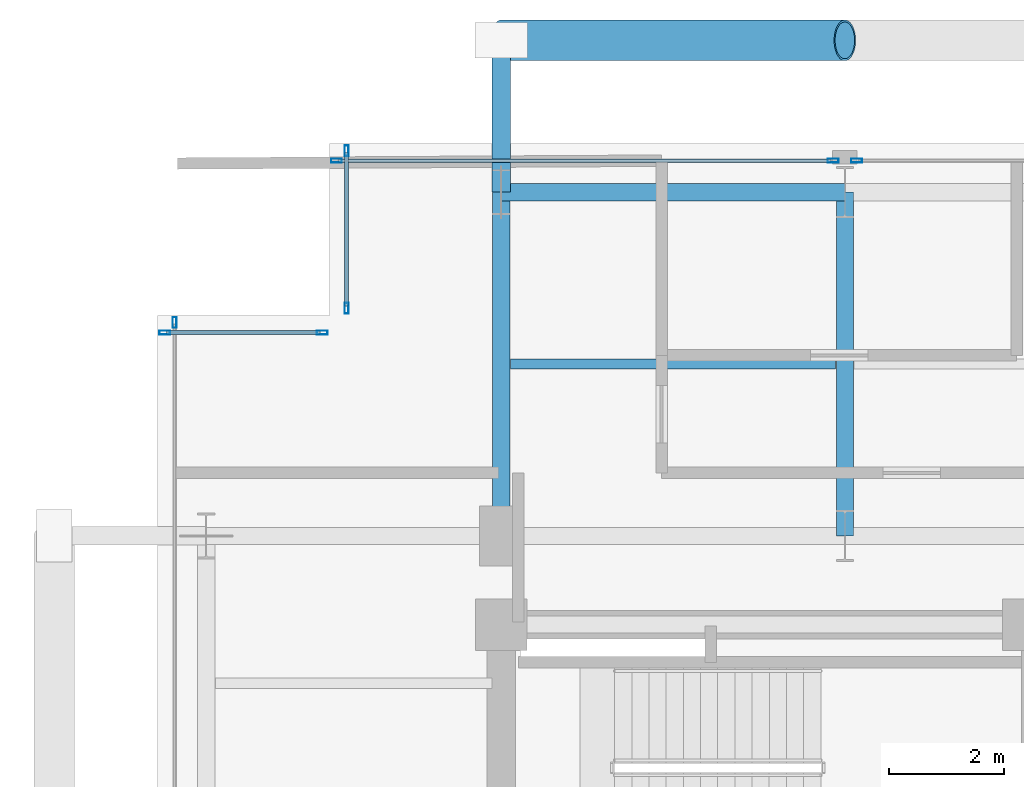
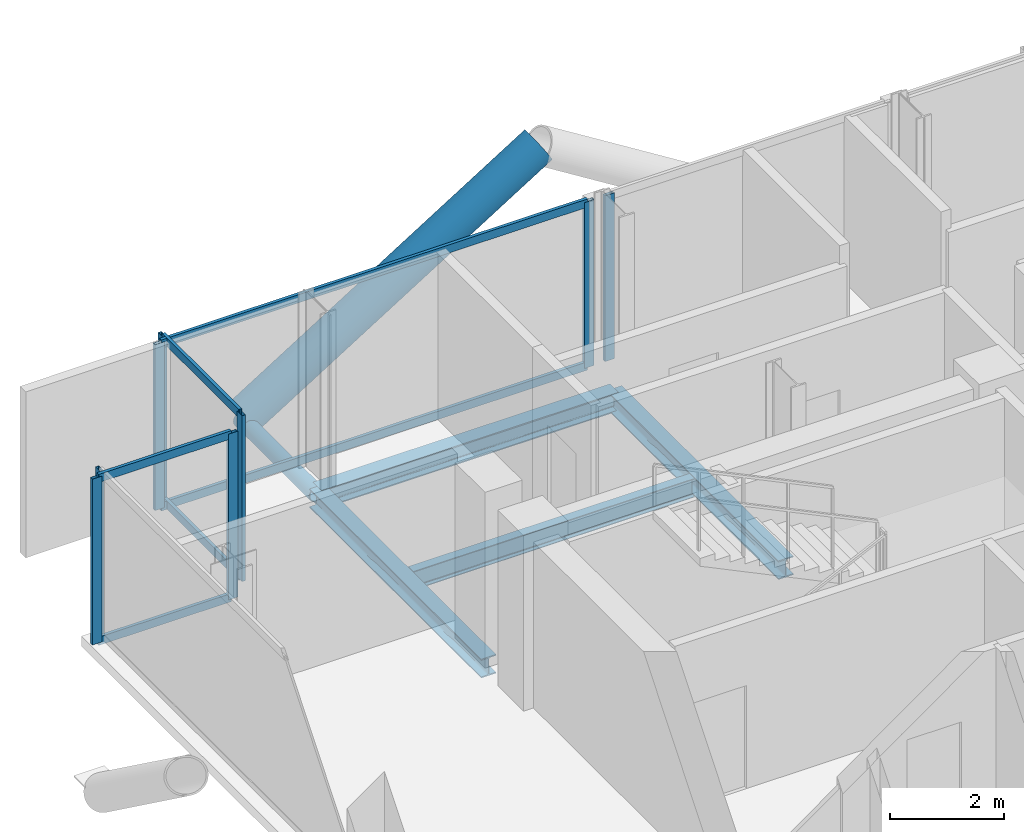
# One storey, part 13 of 22: 16 members, 4 beams, 5 elements without a shape of their own.
"""IFC4 building model written with IfcOpenShell, lengths in metres."""

import ifcopenshell
import ifcopenshell.guid

model = None  # the IFC model being written
_history = None  # IfcOwnerHistory: only IFC2X3 demands one
_inside = {}  # id of a spatial element -> (the spatial element, [elements in it])
_under = {}  # id of a project, library or spatial element -> (it, [spatial elements below it])
_declared = {}  # id of a project -> (the project, [libraries it declares])
_typed = {}  # id of a type object -> (the type object, [elements of that type])
_made_of = {}  # id of a material, layer set ... -> (it, [elements and type objects made of it])


def new_model(schema):
    """Start an empty IFC model of exactly this schema.

    Asked for "IFC4X3", IfcOpenShell would pick the latest addendum, in which some entities
    have other attributes; the version numbers below select the first issue.
    IFC2X3 requires an IfcOwnerHistory on every rooted entity: one is made here for all.
    """
    global model, _history
    if schema == "IFC4X3":
        model = ifcopenshell.file(schema_version=(4, 3, 0, 0))
    else:
        model = ifcopenshell.file(schema=schema)
    _inside.clear()
    _under.clear()
    _declared.clear()
    _typed.clear()
    _made_of.clear()
    _history = None
    if model.schema == "IFC2X3":
        org = make("IfcOrganization", Name="unknown")
        user = make(
            "IfcPersonAndOrganization",
            ThePerson=make("IfcPerson", FamilyName="unknown"),
            TheOrganization=org,
        )
        app = make(
            "IfcApplication",
            ApplicationDeveloper=org,
            Version="unknown",
            ApplicationFullName="unknown",
            ApplicationIdentifier="unknown",
        )
        _history = make(
            "IfcOwnerHistory",
            OwningUser=user,
            OwningApplication=app,
            ChangeAction="ADDED",
            CreationDate=0,
        )
    return model


def make(cls, **values):
    """One entity of the class cls with the attributes given. An attribute that is None is left unset."""
    return model.create_entity(
        cls, **{name: value for name, value in values.items() if value is not None}
    )


def rooted(cls, **values):
    """An entity with a GlobalId (a new one), such as an element, a storey or a relation."""
    return make(cls, GlobalId=ifcopenshell.guid.new(), OwnerHistory=_history, **values)


def si_unit(unit_type, name, prefix=None):
    """IfcSIUnit, for example si_unit("LENGTHUNIT", "METRE", prefix="MILLI")."""
    return make("IfcSIUnit", UnitType=unit_type, Prefix=prefix, Name=name)


def assignment(units):
    """IfcUnitAssignment: the units of a project."""
    return None if units is None else make("IfcUnitAssignment", Units=units)


def point(xyz):
    """IfcCartesianPoint."""
    return None if xyz is None else make("IfcCartesianPoint", Coordinates=xyz)


def direction(xyz):
    """IfcDirection."""
    return None if xyz is None else make("IfcDirection", DirectionRatios=xyz)


def frame(location, z_axis=None, x_axis=None):
    """IfcAxis2Placement3D, a coordinate frame: its origin and axes. An axis left out is left unset."""
    return make(
        "IfcAxis2Placement3D",
        Location=point(location),
        Axis=direction(z_axis),
        RefDirection=direction(x_axis),
    )


def frame_2d(location, x_axis=None):
    """IfcAxis2Placement2D, a coordinate frame in the plane: its origin and x axis."""
    return make(
        "IfcAxis2Placement2D", Location=point(location), RefDirection=direction(x_axis)
    )


def origin():
    """The frame at (0, 0, 0) with its axes left unset."""
    return frame((0.0, 0.0, 0.0))


def origin_2d():
    """The frame at (0, 0) in the plane with its x axis left unset."""
    return frame_2d((0.0, 0.0))


def place(relative_to, where):
    """IfcLocalPlacement: puts the frame where relative to a parent placement (None: the world)."""
    return make(
        "IfcLocalPlacement", PlacementRelTo=relative_to, RelativePlacement=where
    )


def context(
    kind, dimensions, precision=None, world=None, true_north=None, identifier=None
):
    """IfcGeometricRepresentationContext, for example the 3D "Model" context."""
    return make(
        "IfcGeometricRepresentationContext",
        ContextIdentifier=identifier,
        ContextType=kind,
        CoordinateSpaceDimension=dimensions,
        Precision=precision,
        WorldCoordinateSystem=world,
        TrueNorth=true_north,
    )


def subcontext(parent, identifier, kind, view, scale=None):
    """IfcGeometricRepresentationSubContext, for example "Body" below "Model"."""
    return make(
        "IfcGeometricRepresentationSubContext",
        ContextIdentifier=identifier,
        ContextType=kind,
        ParentContext=parent,
        TargetScale=scale,
        TargetView=view,
    )


def project(units=None, contexts=None):
    """IfcProject with its units and contexts."""
    return rooted(
        "IfcProject",
        Name="project",
        RepresentationContexts=contexts,
        UnitsInContext=assignment(units),
    )


def spatial(cls, under=None, at=None, **own):
    """A site, building, storey or space (cls), placed at a placement, below another one or the project."""
    s = rooted(cls, ObjectPlacement=at, **own)
    if under is not None:
        _under.setdefault(under.id(), (under, []))[1].append(s)
    return s


def profile(cls, at=None, kind="AREA", **sizes):
    """A parametric profile (cls). Its sizes go by their IFC names, for example OverallWidth=200.0."""
    return make(cls, ProfileType=kind, Position=at, **sizes)


def hollow_rectangle(**sizes):
    """IfcRectangleHollowProfileDef."""
    return profile("IfcRectangleHollowProfileDef", **sizes)


def hollow_circle(**sizes):
    """IfcCircleHollowProfileDef."""
    return profile("IfcCircleHollowProfileDef", **sizes)


def i_section(**sizes):
    """IfcIShapeProfileDef."""
    return profile("IfcIShapeProfileDef", **sizes)


def extrude(swept, where, along, depth):
    """IfcExtrudedAreaSolid: the profile swept, set in the frame where, extruded along a direction by depth."""
    return make(
        "IfcExtrudedAreaSolid",
        SweptArea=swept,
        Position=where,
        ExtrudedDirection=direction(along),
        Depth=depth,
    )


def shape(context_of_items, identifier, shape_type, items):
    """IfcShapeRepresentation: the items that make up one representation, for example the "Body"."""
    return make(
        "IfcShapeRepresentation",
        ContextOfItems=context_of_items,
        RepresentationIdentifier=identifier,
        RepresentationType=shape_type,
        Items=items,
    )


def material(Name=None, Category=None):
    """IfcMaterial."""
    return make("IfcMaterial", Name=Name, Category=Category)


def layer(
    of_material, thickness, ventilated=None, Name=None, Category=None, Priority=None
):
    """IfcMaterialLayer: one layer of a wall or slab, of a material (None: an air gap)."""
    return make(
        "IfcMaterialLayer",
        Material=of_material,
        LayerThickness=thickness,
        IsVentilated=ventilated,
        Name=Name,
        Category=Category,
        Priority=Priority,
    )


def layer_set(layers, Name=None):
    """IfcMaterialLayerSet."""
    return make("IfcMaterialLayerSet", MaterialLayers=layers, LayerSetName=Name)


def material_profile(
    of_material, cross_section, Name=None, Category=None, Priority=None
):
    """IfcMaterialProfile: a cross section and its material."""
    return make(
        "IfcMaterialProfile",
        Name=Name,
        Material=of_material,
        Profile=cross_section,
        Priority=Priority,
        Category=Category,
    )


def profile_set(profiles, Name=None, composite=None):
    """IfcMaterialProfileSet."""
    return make(
        "IfcMaterialProfileSet",
        Name=Name,
        MaterialProfiles=profiles,
        CompositeProfile=composite,
    )


def made_of(thing, what):
    """Note that an element or type object is made of a material, layer set ...; save() writes the relation."""
    if what is not None:
        _made_of.setdefault(what.id(), (what, []))[1].append(thing)
    return thing


def type_object(cls, material=None, **own):
    """A type object (cls), such as IfcWallType, which elements share."""
    return made_of(rooted(cls, **own), material)


def element(
    cls,
    number,
    at=None,
    inside=None,
    cuts=None,
    type_object=None,
    material=None,
    context=None,
    identifier="Body",
    shape_type=None,
    held_by="IfcProductDefinitionShape",
    body=None,
    shapes=None,
    **own,
):
    """One element of the class cls, such as IfcWall. Its Tag is "e" and its number.

    at: its placement. inside: the storey or other place that contains it. cuts: it is an
    opening in that element (IfcRelVoidsElement). A single representation is given by context,
    identifier, shape_type and body (its items); several are given by shapes. held_by: the class
    of the entity that holds the representations. save() writes the other relations.
    """
    e = rooted(cls, Tag="e%d" % number, ObjectPlacement=at, **own)
    if body is not None:
        shapes = [shape(context, identifier, shape_type, body)]
    if shapes is not None:
        e.Representation = make(held_by, Representations=shapes)
    if inside is not None:
        _inside.setdefault(inside.id(), (inside, []))[1].append(e)
    if cuts is not None:
        rooted(
            "IfcRelVoidsElement", RelatingBuildingElement=cuts, RelatedOpeningElement=e
        )
    if type_object is not None:
        _typed.setdefault(type_object.id(), (type_object, []))[1].append(e)
    return made_of(e, material)


def aggregate(whole, parts):
    """IfcRelAggregates: a whole, such as a stair, and the parts it consists of."""
    return rooted("IfcRelAggregates", RelatingObject=whole, RelatedObjects=parts)


def save(model, path):
    """Write the relations noted so far, then the file.

    IfcRelAggregates (storeys below a building ...), IfcRelContainedInSpatialStructure (elements
    in a storey), IfcRelDefinesByType, IfcRelAssociatesMaterial and IfcRelDeclares: one each for
    every whole, place, type object, material and project.
    """
    for whole, parts in _under.values():
        aggregate(whole, parts)
    for where, things in _inside.values():
        rooted(
            "IfcRelContainedInSpatialStructure",
            RelatedElements=things,
            RelatingStructure=where,
        )
    for kind, things in _typed.values():
        rooted("IfcRelDefinesByType", RelatedObjects=things, RelatingType=kind)
    for what, things in _made_of.values():
        rooted("IfcRelAssociatesMaterial", RelatedObjects=things, RelatingMaterial=what)
    for by, libraries in _declared.values():
        rooted("IfcRelDeclares", RelatingContext=by, RelatedDefinitions=libraries)
    model.write(path)


model = new_model("IFC4")

# Units and contexts
model_context = context("Model", 3, precision=1e-05, world=origin(), true_north=direction((0.0, 1.0)))
body_context = subcontext(model_context, "Body", "Model", "MODEL_VIEW")
ifc_project = project(units=[si_unit("LENGTHUNIT", "METRE"), si_unit("AREAUNIT", "SQUARE_METRE"), si_unit("VOLUMEUNIT", "CUBIC_METRE"), si_unit("PLANEANGLEUNIT", "RADIAN"), si_unit("MASSUNIT", "GRAM", prefix="KILO"), si_unit("THERMODYNAMICTEMPERATUREUNIT", "KELVIN"), si_unit("POWERUNIT", "WATT")], contexts=[model_context])

# Site, building, storey
site_placement = place(None, origin())
site = spatial("IfcSite", under=ifc_project, at=site_placement, CompositionType="ELEMENT")
building_placement = place(site_placement, origin())
building = spatial("IfcBuilding", under=site, at=building_placement, Name="Svarakhadi Broadcast Tower", CompositionType="ELEMENT")
storey_placement = place(building_placement, frame((0.0, 0.0, 172.949951171875)))
storey = spatial("IfcBuildingStorey", under=building, at=storey_placement, Name="L42", CompositionType="ELEMENT", Elevation=172.949951171875)

# Beam
ifc_material_1 = material(Name="Steel S355J2 (IS 2062 E350C)", Category="steel")
ifc_material_profile_1 = material_profile(ifc_material_1, i_section(OverallWidth=0.179931640625, OverallDepth=0.39990234375, WebThickness=0.008544921875, FlangeThickness=0.013427734375, FilletRadius=0.02099609375, at=origin_2d()), Name="NPB 400x180x66")
ifc_profile_set_1 = profile_set([ifc_material_profile_1], Name="Steel S355J2 (IS 2062 E350C)")
beam_type_1 = type_object("IfcBeamType", Name="Beam_NPB400", PredefinedType="BEAM", material=ifc_profile_set_1)
beam_placement = place(storey_placement, frame((6.159912109375, 32.14990234375, -0.409912109375), z_axis=(1.0, 0.0, 0.0), x_axis=(0.0, 1.0, 0.0)))
element("IfcBeam", 1, at=beam_placement, inside=storey, type_object=beam_type_1, Name="L42 Secondary Composite Beam SB008", PredefinedType="BEAM", context=body_context, shape_type="SweptSolid", body=[
    extrude(i_section(OverallWidth=0.179931640625, OverallDepth=0.39990234375, WebThickness=0.008544921875, FlangeThickness=0.013427734375, FilletRadius=0.02099609375, at=origin_2d()), origin(), (0.0, 0.0, 1.0), 5.68017578125),
])

# Curtain wall, member
ifc_material_2 = material(Name="Anodised Bronze Aluminium AA 6063-T6", Category="aluminium")
ifc_layer = layer(ifc_material_2, 0.18994140625)
ifc_layer_set = layer_set([ifc_layer], Name="Anodised Bronze Aluminium AA 6063-T6")
curtain_wall_type = type_object("IfcCurtainWallType", Name="CW_Sys_04", PredefinedType="NOTDEFINED", material=ifc_layer_set)
curtain_wall_1_placement = place(storey_placement, origin())
curtain_wall_1 = element("IfcCurtainWall", 2, at=curtain_wall_1_placement, inside=storey, type_object=curtain_wall_type, Name="L42 West Curtain Wall 03", PredefinedType="NOTDEFINED")
ifc_material_profile_2 = material_profile(ifc_material_2, hollow_rectangle(XDim=0.070068359375, YDim=0.18994140625, WallThickness=0.005615234375, at=origin_2d()), Name="ALU MULLION 190x70x6")
ifc_profile_set_2 = profile_set([ifc_material_profile_2], Name="Anodised Bronze Aluminium AA 6063-T6")
member_type_1 = type_object("IfcMemberType", Name="CW_Sys_04_Mul", PredefinedType="MULLION", material=ifc_profile_set_2)
member_1_placement = place(storey_placement, frame((0.300048828125, 32.875, 0.0), z_axis=(0.0, 0.0, 1.0), x_axis=(-1.0, 0.0, 0.0)))
member_1 = element("IfcMember", 3, at=member_1_placement, type_object=member_type_1, Name="CW-04 mullion 2", PredefinedType="MULLION", context=body_context, shape_type="SweptSolid", body=[
    extrude(hollow_rectangle(XDim=0.070068359375, YDim=0.18994140625, WallThickness=0.005615234375, at=origin_2d()), origin(), (0.0, 0.0, 1.0), 3.5400390625),
])
aggregate(curtain_wall_1, [member_1])

# Curtain wall, members
curtain_wall_2_placement = place(storey_placement, origin())
curtain_wall_2 = element("IfcCurtainWall", 4, at=curtain_wall_2_placement, inside=storey, type_object=curtain_wall_type, Name="L42 Unitised Facade Curtain Wall 04", PredefinedType="NOTDEFINED")
member_2_placement = place(storey_placement, frame((0.125, 32.699951171875, 0.0), z_axis=(0.0, 0.0, 1.0), x_axis=(0.0, 1.0, 0.0)))
member_2 = element("IfcMember", 5, at=member_2_placement, type_object=member_type_1, Name="CW-04 mullion 1", PredefinedType="MULLION", context=body_context, shape_type="SweptSolid", body=[
    extrude(hollow_rectangle(XDim=0.070068359375, YDim=0.18994140625, WallThickness=0.005615234375, at=origin_2d()), origin(), (0.0, 0.0, 1.0), 3.5400390625),
])
member_3_placement = place(storey_placement, frame((2.875, 32.699951171875, 0.0), z_axis=(0.0, 0.0, 1.0), x_axis=(0.0, 1.0, 0.0)))
member_3 = element("IfcMember", 6, at=member_3_placement, type_object=member_type_1, Name="CW-04 mullion 2", PredefinedType="MULLION", context=body_context, shape_type="SweptSolid", body=[
    extrude(hollow_rectangle(XDim=0.070068359375, YDim=0.18994140625, WallThickness=0.005615234375, at=origin_2d()), origin(), (0.0, 0.0, 1.0), 3.5400390625),
])

curtain_wall_3_placement = place(storey_placement, origin())
curtain_wall_3 = element("IfcCurtainWall", 7, at=curtain_wall_3_placement, inside=storey, type_object=curtain_wall_type, Name="L42 Unitised Facade Curtain Wall 05", PredefinedType="NOTDEFINED")
member_4_placement = place(storey_placement, frame((3.300048828125, 33.125, 0.0), z_axis=(0.0, 0.0, 1.0), x_axis=(-1.0, 0.0, 0.0)))
member_4 = element("IfcMember", 8, at=member_4_placement, type_object=member_type_1, Name="CW-04 mullion 1", PredefinedType="MULLION", context=body_context, shape_type="SweptSolid", body=[
    extrude(hollow_rectangle(XDim=0.070068359375, YDim=0.18994140625, WallThickness=0.005615234375, at=origin_2d()), origin(), (0.0, 0.0, 1.0), 3.5400390625),
])
member_5_placement = place(storey_placement, frame((3.300048828125, 35.875, 0.0), z_axis=(0.0, 0.0, 1.0), x_axis=(-1.0, 0.0, 0.0)))
member_5 = element("IfcMember", 9, at=member_5_placement, type_object=member_type_1, Name="CW-04 mullion 2", PredefinedType="MULLION", context=body_context, shape_type="SweptSolid", body=[
    extrude(hollow_rectangle(XDim=0.070068359375, YDim=0.18994140625, WallThickness=0.005615234375, at=origin_2d()), origin(), (0.0, 0.0, 1.0), 3.5400390625),
])

curtain_wall_4_placement = place(storey_placement, origin())
curtain_wall_4 = element("IfcCurtainWall", 10, at=curtain_wall_4_placement, inside=storey, type_object=curtain_wall_type, Name="L42 Unitised Facade Curtain Wall 06 Bay 1", PredefinedType="NOTDEFINED")
member_6_placement = place(storey_placement, frame((3.125, 35.699951171875, 0.0), z_axis=(0.0, 0.0, 1.0), x_axis=(0.0, 1.0, 0.0)))
member_6 = element("IfcMember", 11, at=member_6_placement, type_object=member_type_1, Name="CW-04 mullion 1", PredefinedType="MULLION", context=body_context, shape_type="SweptSolid", body=[
    extrude(hollow_rectangle(XDim=0.070068359375, YDim=0.18994140625, WallThickness=0.005615234375, at=origin_2d()), origin(), (0.0, 0.0, 1.0), 3.5400390625),
])
member_7_placement = place(storey_placement, frame((11.794921875, 35.699951171875, 0.0), z_axis=(0.0, 0.0, 1.0), x_axis=(0.0, 1.0, 0.0)))
member_7 = element("IfcMember", 12, at=member_7_placement, type_object=member_type_1, Name="CW-04 mullion 2", PredefinedType="MULLION", context=body_context, shape_type="SweptSolid", body=[
    extrude(hollow_rectangle(XDim=0.070068359375, YDim=0.18994140625, WallThickness=0.005615234375, at=origin_2d()), origin(), (0.0, 0.0, 1.0), 3.5400390625),
])

# Curtain wall, member
curtain_wall_5_placement = place(storey_placement, origin())
curtain_wall_5 = element("IfcCurtainWall", 13, at=curtain_wall_5_placement, inside=storey, type_object=curtain_wall_type, Name="L42 Unitised Facade Curtain Wall 06 Bay 2", PredefinedType="NOTDEFINED")
member_8_placement = place(storey_placement, frame((12.205078125, 35.699951171875, 0.0), z_axis=(0.0, 0.0, 1.0), x_axis=(0.0, 1.0, 0.0)))
member_8 = element("IfcMember", 14, at=member_8_placement, type_object=member_type_1, Name="CW-04 mullion 1", PredefinedType="MULLION", context=body_context, shape_type="SweptSolid", body=[
    extrude(hollow_rectangle(XDim=0.070068359375, YDim=0.18994140625, WallThickness=0.005615234375, at=origin_2d()), origin(), (0.0, 0.0, 1.0), 3.5400390625),
])
aggregate(curtain_wall_5, [member_8])

# Member
ifc_material_profile_3 = material_profile(ifc_material_2, hollow_rectangle(XDim=0.06494140625, YDim=0.175048828125, WallThickness=0.0048828125, at=origin_2d()), Name="ALU TRANSOM 175x65x5")
ifc_profile_set_3 = profile_set([ifc_material_profile_3], Name="Anodised Bronze Aluminium AA 6063-T6")
member_type_2 = type_object("IfcMemberType", Name="CW_Sys_04_Trn", PredefinedType="USERDEFINED", material=ifc_profile_set_3)
member_9_placement = place(storey_placement, frame((0.159912109375, 32.699951171875, 0.032470703125), z_axis=(1.0, 0.0, 0.0), x_axis=(0.0, 1.0, 0.0)))
member_9 = element("IfcMember", 15, at=member_9_placement, type_object=member_type_2, Name="CW-04 transom 1.1", ObjectType="TRANSOM", PredefinedType="USERDEFINED", context=body_context, shape_type="SweptSolid", body=[
    extrude(hollow_rectangle(XDim=0.06494140625, YDim=0.175048828125, WallThickness=0.0048828125, at=origin_2d()), origin(), (0.0, 0.0, 1.0), 2.68017578125),
])

member_10_placement = place(storey_placement, frame((0.159912109375, 32.699951171875, 3.507568359375), z_axis=(1.0, 0.0, 0.0), x_axis=(0.0, 1.0, 0.0)))
member_10 = element("IfcMember", 16, at=member_10_placement, type_object=member_type_2, Name="CW-04 transom 1.2", ObjectType="TRANSOM", PredefinedType="USERDEFINED", context=body_context, shape_type="SweptSolid", body=[
    extrude(hollow_rectangle(XDim=0.06494140625, YDim=0.175048828125, WallThickness=0.0048828125, at=origin_2d()), origin(), (0.0, 0.0, 1.0), 2.68017578125),
])

aggregate(curtain_wall_2, [member_2, member_3, member_9, member_10])

member_11_placement = place(storey_placement, frame((3.300048828125, 33.159912109375, 0.032470703125), z_axis=(0.0, 1.0, 0.0), x_axis=(-1.0, 0.0, 0.0)))
member_11 = element("IfcMember", 17, at=member_11_placement, type_object=member_type_2, Name="CW-04 transom 1.1", ObjectType="TRANSOM", PredefinedType="USERDEFINED", context=body_context, shape_type="SweptSolid", body=[
    extrude(hollow_rectangle(XDim=0.06494140625, YDim=0.175048828125, WallThickness=0.0048828125, at=origin_2d()), origin(), (0.0, 0.0, 1.0), 2.68017578125),
])

member_12_placement = place(storey_placement, frame((3.300048828125, 33.159912109375, 3.507568359375), z_axis=(0.0, 1.0, 0.0), x_axis=(-1.0, 0.0, 0.0)))
member_12 = element("IfcMember", 18, at=member_12_placement, type_object=member_type_2, Name="CW-04 transom 1.2", ObjectType="TRANSOM", PredefinedType="USERDEFINED", context=body_context, shape_type="SweptSolid", body=[
    extrude(hollow_rectangle(XDim=0.06494140625, YDim=0.175048828125, WallThickness=0.0048828125, at=origin_2d()), origin(), (0.0, 0.0, 1.0), 2.68017578125),
])

aggregate(curtain_wall_3, [member_4, member_5, member_11, member_12])

member_13_placement = place(storey_placement, frame((3.159912109375, 35.699951171875, 0.032470703125), z_axis=(1.0, 0.0, 0.0), x_axis=(0.0, 1.0, 0.0)))
member_13 = element("IfcMember", 19, at=member_13_placement, type_object=member_type_2, Name="CW-04 transom 1.1", ObjectType="TRANSOM", PredefinedType="USERDEFINED", context=body_context, shape_type="SweptSolid", body=[
    extrude(hollow_rectangle(XDim=0.06494140625, YDim=0.175048828125, WallThickness=0.0048828125, at=origin_2d()), origin(), (0.0, 0.0, 1.0), 8.60009765625),
])

member_14_placement = place(storey_placement, frame((3.159912109375, 35.699951171875, 3.507568359375), z_axis=(1.0, 0.0, 0.0), x_axis=(0.0, 1.0, 0.0)))
member_14 = element("IfcMember", 20, at=member_14_placement, type_object=member_type_2, Name="CW-04 transom 1.2", ObjectType="TRANSOM", PredefinedType="USERDEFINED", context=body_context, shape_type="SweptSolid", body=[
    extrude(hollow_rectangle(XDim=0.06494140625, YDim=0.175048828125, WallThickness=0.0048828125, at=origin_2d()), origin(), (0.0, 0.0, 1.0), 8.60009765625),
])

aggregate(curtain_wall_4, [member_6, member_7, member_13, member_14])

# Members
ifc_material_3 = material(Name="Steel S460ML (IS 2062 E450BR)", Category="steel")
ifc_material_profile_4 = material_profile(ifc_material_3, hollow_circle(Radius=0.35546875, WallThickness=0.034912109375, at=origin_2d()), Name="CHS 711x35")
ifc_profile_set_4 = profile_set([ifc_material_profile_4], Name="Steel S460ML (IS 2062 E450BR)")
member_type_3 = type_object("IfcMemberType", Name="Exo_Brace_CHS711", PredefinedType="BRACE", material=ifc_profile_set_4)
member_15_placement = place(storey_placement, frame((6.0, 37.800048828125, -0.371826171875), z_axis=(0.847998304005, 0.0, 0.529998940003), x_axis=(0.0, 1.0, 0.0)))
element("IfcMember", 21, at=member_15_placement, inside=storey, type_object=member_type_3, Name="L42 Exposed Bronze Exoskeleton Diagonal N06", PredefinedType="BRACE", context=body_context, shape_type="SweptSolid", body=[
    extrude(hollow_circle(Radius=0.35546875, WallThickness=0.034912109375, at=origin_2d()), origin(), (0.0, 0.0, 1.0), 7.075439453125),
])
ifc_material_profile_5 = material_profile(ifc_material_3, hollow_circle(Radius=0.161865234375, WallThickness=0.01611328125, at=origin_2d()), Name="CHS 323.9x16")
ifc_profile_set_5 = profile_set([ifc_material_profile_5], Name="Steel S460ML (IS 2062 E450BR)")
member_type_4 = type_object("IfcMemberType", Name="Exo_Radial_Strut_Z2", PredefinedType="STRUT", material=ifc_profile_set_5)
member_16_placement = place(storey_placement, frame((6.0, 37.800048828125, -0.371826171875), z_axis=(0.0, -1.0, 0.0), x_axis=(1.0, 0.0, 0.0)))
element("IfcMember", 22, at=member_16_placement, inside=storey, type_object=member_type_4, Name="L42 Exoskeleton Radial Tie Strut N09", PredefinedType="STRUT", context=body_context, shape_type="SweptSolid", body=[
    extrude(hollow_circle(Radius=0.161865234375, WallThickness=0.01611328125, at=origin_2d()), origin(), (0.0, 0.0, 1.0), 2.650146484375),
])

# Beams
ifc_material_profile_6 = material_profile(ifc_material_1, i_section(OverallWidth=0.300048828125, OverallDepth=0.39990234375, WebThickness=0.013427734375, FlangeThickness=0.02392578125, FilletRadius=0.027099609375, at=origin_2d()), Name="WPB 400x300x155")
ifc_profile_set_6 = profile_set([ifc_material_profile_6], Name="Steel S355J2 (IS 2062 E350C)")
beam_type_2 = type_object("IfcBeamType", Name="Girder_WPB400", PredefinedType="USERDEFINED", material=ifc_profile_set_6)
for number, where, z_axis, x_axis, name in (
    (23, (6.0, 35.14990234375, -0.409912109375), (1.0, 0.0, 0.0), (0.0, 1.0, 0.0), "L42 Primary E-W Girder G031"),
    (24, (6.0, 29.14990234375, -0.409912109375), (0.0, 1.0, 0.0), (-1.0, 0.0, 0.0), "L42 Primary N-S Girder G041"),
    (25, (12.0, 29.14990234375, -0.409912109375), (0.0, 1.0, 0.0), (-1.0, 0.0, 0.0), "L42 Primary N-S Girder G045"),
):
    element("IfcBeam", number, at=place(storey_placement, frame(where, z_axis=z_axis, x_axis=x_axis)), inside=storey, type_object=beam_type_2, Name=name, ObjectType="GIRDER", PredefinedType="USERDEFINED", context=body_context, shape_type="SweptSolid", body=[
        extrude(i_section(OverallWidth=0.300048828125, OverallDepth=0.39990234375, WebThickness=0.013427734375, FlangeThickness=0.02392578125, FilletRadius=0.027099609375, at=origin_2d()), origin(), (0.0, 0.0, 1.0), 6.0),
    ])

save(model, "model.ifc")
